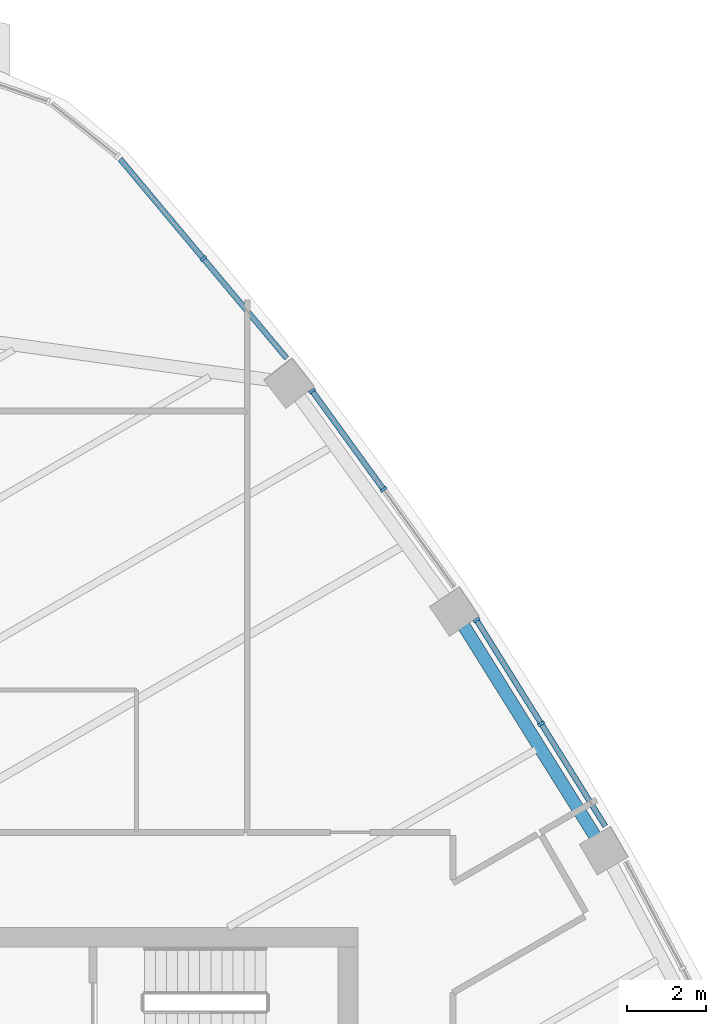
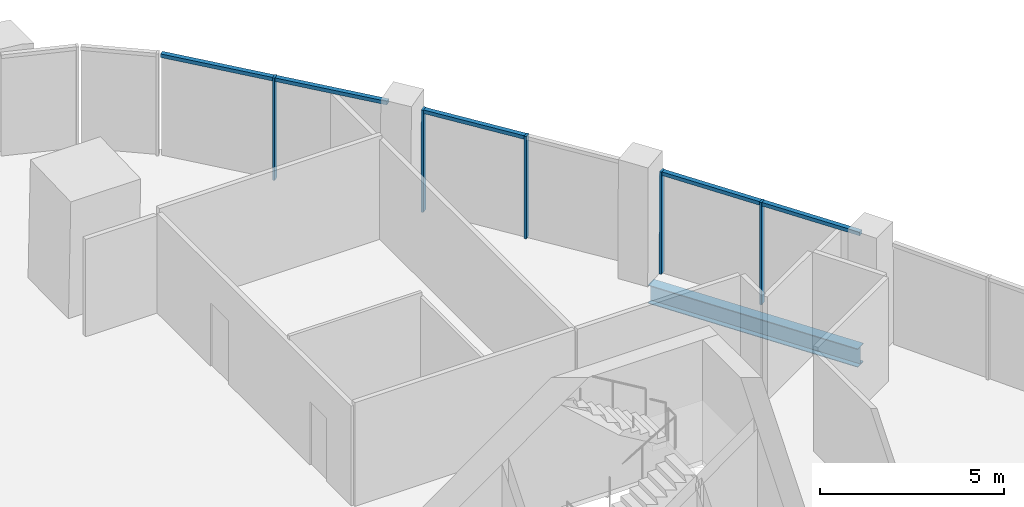
# One storey, part 6 of 15: 10 members, 1 beam, 3 elements without a shape of their own.
"""IFC4 building model written with IfcOpenShell, lengths in metres."""

from ifc_helpers import new_model, si_unit, direction, frame, origin, origin_2d, place, context, subcontext, project, spatial, rectangle, i_section, extrude, material, layer, layer_set, material_profile, profile_set, type_object, element, aggregate, save


model = new_model("IFC4")

# Units and contexts
model_context = context("Model", 3, precision=1e-05, world=origin(), true_north=direction((0.0, 1.0)))
body_context = subcontext(model_context, "Body", "Model", "MODEL_VIEW")
ifc_project = project(units=[si_unit("LENGTHUNIT", "METRE"), si_unit("AREAUNIT", "SQUARE_METRE"), si_unit("VOLUMEUNIT", "CUBIC_METRE"), si_unit("PLANEANGLEUNIT", "RADIAN"), si_unit("MASSUNIT", "GRAM", prefix="KILO")], contexts=[model_context])

# Site, building, storey
site_placement = place(None, origin())
site = spatial("IfcSite", under=ifc_project, at=site_placement, CompositionType="ELEMENT")
building_placement = place(site_placement, origin())
building = spatial("IfcBuilding", under=site, at=building_placement, Name="Sierra Prisma Convention Tower", CompositionType="ELEMENT")
storey_placement = place(building_placement, frame((0.0, 0.0, 315.0)))
storey = spatial("IfcBuildingStorey", under=building, at=storey_placement, Name="L72", CompositionType="ELEMENT", Elevation=315.0)

# Curtain wall, members
ifc_material_1 = material(Name="Aluminium and glass curtain wall", Category="aluminium")
ifc_layer = layer(ifc_material_1, 0.179931640625)
ifc_layer_set = layer_set([ifc_layer], Name="CW-1 Plain shaft curtain wall")
curtain_wall_type = type_object("IfcCurtainWallType", Name="CW-1 Plain shaft curtain wall", PredefinedType="NOTDEFINED", material=ifc_layer_set)
curtain_wall_1_placement = place(storey_placement, origin())
curtain_wall_1 = element("IfcCurtainWall", 1, at=curtain_wall_1_placement, inside=storey, type_object=curtain_wall_type, Name="CW-1 NE4 L72", PredefinedType="NOTDEFINED")
ifc_material_2 = material(Name="Aluminium 6063-T6 bronze anodised", Category="aluminium")
ifc_material_profile_1 = material_profile(ifc_material_2, rectangle(XDim=0.179931640625, YDim=0.070068359375, at=origin_2d()), Name="ALU MULLION 70x180")
ifc_profile_set_1 = profile_set([ifc_material_profile_1], Name="Aluminium 6063-T6 bronze anodised")
member_type_1 = type_object("IfcMemberType", Name="CW mullion bronze", PredefinedType="MULLION", material=ifc_profile_set_1)
member_1_placement = place(storey_placement, frame((15.630126953125, 13.14697265625, 0.0), z_axis=(0.0, 0.0, 1.0), x_axis=(-0.848243490511, -0.529606439543, 0.0)))
member_1 = element("IfcMember", 2, at=member_1_placement, type_object=member_type_1, Name="CW-1 mullion NE4.2", PredefinedType="MULLION", context=body_context, shape_type="SweptSolid", body=[
    extrude(rectangle(XDim=0.179931640625, YDim=0.070068359375, at=origin_2d()), origin(), (0.0, 0.0, 1.0), 3.39990234375),
])
member_2_placement = place(storey_placement, frame((13.994873046875, 15.765869140625, 0.0), z_axis=(0.0, 0.0, 1.0), x_axis=(-0.848243490511, -0.529606439543, 0.0)))
member_2 = element("IfcMember", 3, at=member_2_placement, type_object=member_type_1, Name="CW-1 mullion NE4.3", PredefinedType="MULLION", context=body_context, shape_type="SweptSolid", body=[
    extrude(rectangle(XDim=0.179931640625, YDim=0.070068359375, at=origin_2d()), origin(), (0.0, 0.0, 1.0), 3.39990234375),
])

curtain_wall_2_placement = place(storey_placement, origin())
curtain_wall_2 = element("IfcCurtainWall", 4, at=curtain_wall_2_placement, inside=storey, type_object=curtain_wall_type, Name="CW-1 NE5 L72", PredefinedType="NOTDEFINED")
member_3_placement = place(storey_placement, frame((11.643798828125, 19.06787109375, 0.0), z_axis=(0.0, 0.0, 1.0), x_axis=(-0.809666883879, -0.58688971464, 0.0)))
member_3 = element("IfcMember", 5, at=member_3_placement, type_object=member_type_1, Name="CW-1 mullion NE5.2", PredefinedType="MULLION", context=body_context, shape_type="SweptSolid", body=[
    extrude(rectangle(XDim=0.179931640625, YDim=0.070068359375, at=origin_2d()), origin(), (0.0, 0.0, 1.0), 3.39990234375),
])
member_4_placement = place(storey_placement, frame((9.840576171875, 21.555419921875, 0.0), z_axis=(0.0, 0.0, 1.0), x_axis=(-0.809666883879, -0.58688971464, 0.0)))
member_4 = element("IfcMember", 6, at=member_4_placement, type_object=member_type_1, Name="CW-1 mullion NE5.3", PredefinedType="MULLION", context=body_context, shape_type="SweptSolid", body=[
    extrude(rectangle(XDim=0.179931640625, YDim=0.070068359375, at=origin_2d()), origin(), (0.0, 0.0, 1.0), 3.39990234375),
])

# Curtain wall, member
curtain_wall_3_placement = place(storey_placement, origin())
curtain_wall_3 = element("IfcCurtainWall", 7, at=curtain_wall_3_placement, inside=storey, type_object=curtain_wall_type, Name="CW-1 NE6 L72", PredefinedType="NOTDEFINED")
member_5_placement = place(storey_placement, frame((7.092041015625, 24.900146484375, 0.0), z_axis=(0.0, 0.0, 1.0), x_axis=(-0.767228548224, -0.641373802701, 0.0)))
member_5 = element("IfcMember", 8, at=member_5_placement, type_object=member_type_1, Name="CW-1 mullion NE6.2", PredefinedType="MULLION", context=body_context, shape_type="SweptSolid", body=[
    extrude(rectangle(XDim=0.179931640625, YDim=0.070068359375, at=origin_2d()), origin(), (0.0, 0.0, 1.0), 3.39990234375),
])

# Member
ifc_material_3 = material(Name="Aluminium 6063-T6 bronze anodised", Category="aluminium")
ifc_material_profile_2 = material_profile(ifc_material_3, rectangle(XDim=0.139892578125, YDim=0.1201171875, at=origin_2d()), Name="ALU TRANSOM 120x140")
ifc_profile_set_2 = profile_set([ifc_material_profile_2], Name="Aluminium 6063-T6 bronze anodised")
member_type_2 = type_object("IfcMemberType", Name="CW transom bronze", PredefinedType="USERDEFINED", material=ifc_profile_set_2)
member_6_placement = place(storey_placement, frame((17.246826171875, 10.5576171875, 3.340087890625), z_axis=(-0.529620712762, 0.848234578765, 0.0), x_axis=(-0.848234578765, -0.529620712762, 0.0)))
member_6 = element("IfcMember", 9, at=member_6_placement, type_object=member_type_2, Name="CW-1 transom NE4.1", ObjectType="TRANSOM", PredefinedType="USERDEFINED", context=body_context, shape_type="SweptSolid", body=[
    extrude(rectangle(XDim=0.139892578125, YDim=0.1201171875, at=origin_2d()), origin(), (0.0, 0.0, 1.0), 3.017578125),
])

member_7_placement = place(storey_placement, frame((15.611572265625, 13.176513671875, 3.340087890625), z_axis=(-0.52958436766, 0.848257270839, 0.0), x_axis=(-0.848257270839, -0.52958436766, 0.0)))
member_7 = element("IfcMember", 10, at=member_7_placement, type_object=member_type_2, Name="CW-1 transom NE4.2", ObjectType="TRANSOM", PredefinedType="USERDEFINED", context=body_context, shape_type="SweptSolid", body=[
    extrude(rectangle(XDim=0.139892578125, YDim=0.1201171875, at=origin_2d()), origin(), (0.0, 0.0, 1.0), 3.017822265625),
])

aggregate(curtain_wall_1, [member_1, member_2, member_6, member_7])

member_8_placement = place(storey_placement, frame((11.623291015625, 19.09619140625, 3.340087890625), z_axis=(-0.586923599139, 0.809642321506, 0.0), x_axis=(-0.809642321506, -0.586923599139, 0.0)))
member_8 = element("IfcMember", 11, at=member_8_placement, type_object=member_type_2, Name="CW-1 transom NE5.2", ObjectType="TRANSOM", PredefinedType="USERDEFINED", context=body_context, shape_type="SweptSolid", body=[
    extrude(rectangle(XDim=0.139892578125, YDim=0.1201171875, at=origin_2d()), origin(), (0.0, 0.0, 1.0), 3.00244140625),
])

aggregate(curtain_wall_2, [member_3, member_4, member_8])

member_9_placement = place(storey_placement, frame((9.197998046875, 22.381103515625, 3.340087890625), z_axis=(-0.641395982711, 0.767210006036, 0.0), x_axis=(-0.767210006036, -0.641395982711, 0.0)))
member_9 = element("IfcMember", 12, at=member_9_placement, type_object=member_type_2, Name="CW-1 transom NE6.1", ObjectType="TRANSOM", PredefinedType="USERDEFINED", context=body_context, shape_type="SweptSolid", body=[
    extrude(rectangle(XDim=0.139892578125, YDim=0.1201171875, at=origin_2d()), origin(), (0.0, 0.0, 1.0), 3.248291015625),
])

member_10_placement = place(storey_placement, frame((7.069580078125, 24.927001953125, 3.340087890625), z_axis=(-0.64135900008, 0.767240922407, 0.0), x_axis=(-0.767240922407, -0.64135900008, 0.0)))
member_10 = element("IfcMember", 13, at=member_10_placement, type_object=member_type_2, Name="CW-1 transom NE6.2", ObjectType="TRANSOM", PredefinedType="USERDEFINED", context=body_context, shape_type="SweptSolid", body=[
    extrude(rectangle(XDim=0.139892578125, YDim=0.1201171875, at=origin_2d()), origin(), (0.0, 0.0, 1.0), 3.24853515625),
])

aggregate(curtain_wall_3, [member_5, member_9, member_10])

# Beam
ifc_material_4 = material(Name="Steel ASTM A992 Gr 50", Category="steel")
ifc_material_profile_3 = material_profile(ifc_material_4, i_section(OverallWidth=0.324951171875, OverallDepth=0.615966796875, WebThickness=0.013916015625, FlangeThickness=0.021484375, at=origin_2d()), Name="W610x174")
ifc_profile_set_3 = profile_set([ifc_material_profile_3], Name="Steel ASTM A992 Gr 50")
beam_type = type_object("IfcBeamType", Name="Spandrel beam W610x174", PredefinedType="BEAM", material=ifc_profile_set_3)
beam_placement = place(storey_placement, frame((17.044189453125, 10.221435546875, -0.4580078125), z_axis=(-0.529592009117, 0.848252500073, 0.0), x_axis=(-0.848252500073, -0.529592009117, 0.0)))
element("IfcBeam", 14, at=beam_placement, inside=storey, type_object=beam_type, Name="Spandrel L72-10", PredefinedType="BEAM", context=body_context, shape_type="SweptSolid", body=[
    extrude(i_section(OverallWidth=0.324951171875, OverallDepth=0.615966796875, WebThickness=0.013916015625, FlangeThickness=0.021484375, at=origin_2d()), origin(), (0.0, 0.0, 1.0), 6.472412109375),
])

save(model, "model.ifc")
